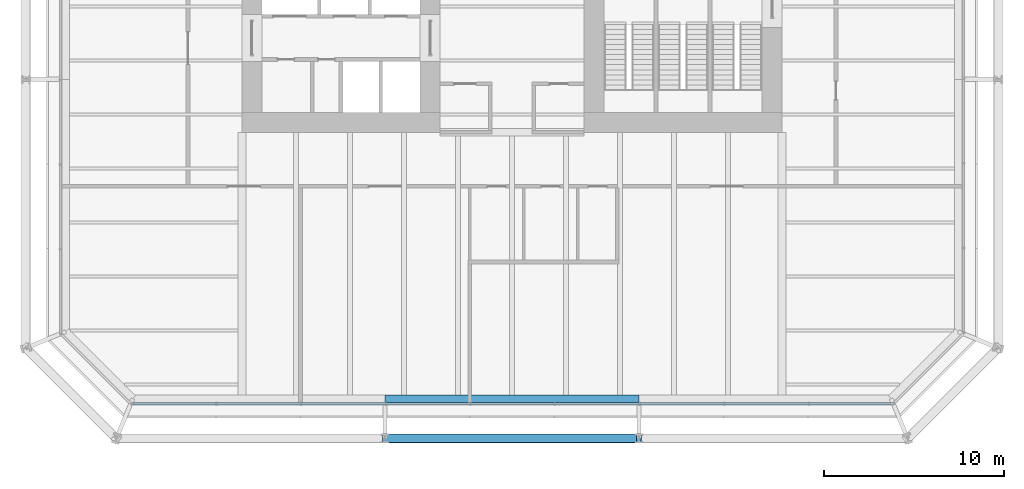
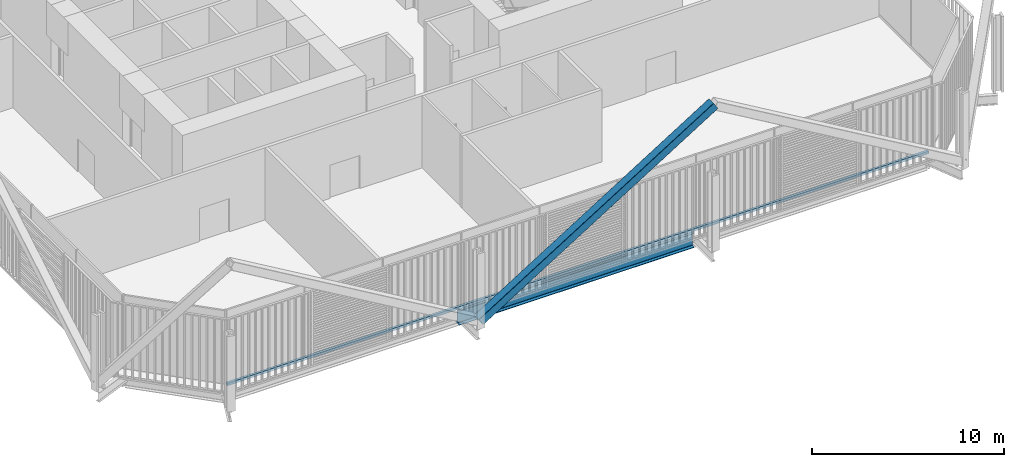
# One storey, part 3 of 22: 2 members, 1 beam, 1 element without a shape of its own.
"""IFC4 building model written with IfcOpenShell, lengths in metres."""

from ifc_helpers import new_model, si_unit, direction, frame, origin, origin_2d, place, context, subcontext, project, spatial, rectangle, hollow_rectangle, i_section, extrude, material, layer, layer_set, material_profile, profile_set, type_object, element, aggregate, save


model = new_model("IFC4")

# Units and contexts
model_context = context("Model", 3, precision=1e-05, world=origin(), true_north=direction((0.0, 1.0)))
body_context = subcontext(model_context, "Body", "Model", "MODEL_VIEW")
ifc_project = project(units=[si_unit("LENGTHUNIT", "METRE"), si_unit("AREAUNIT", "SQUARE_METRE"), si_unit("VOLUMEUNIT", "CUBIC_METRE"), si_unit("PLANEANGLEUNIT", "RADIAN"), si_unit("MASSUNIT", "GRAM", prefix="KILO")], contexts=[model_context])

# Site, building, storey
site_placement = place(None, origin())
site = spatial("IfcSite", under=ifc_project, at=site_placement, CompositionType="ELEMENT")
building_placement = place(site_placement, origin())
building = spatial("IfcBuilding", under=site, at=building_placement, Name="Millrace Tower", CompositionType="ELEMENT")
storey_placement = place(building_placement, frame((0.0, 0.0, 20.89990234375)))
storey = spatial("IfcBuildingStorey", under=building, at=storey_placement, Name="L05", CompositionType="ELEMENT", Elevation=20.89990234375)

# Curtain wall, member
ifc_material_1 = material(Name="Aluminium and glass", Category="aluminium")
ifc_layer = layer(ifc_material_1, 0.14990234375)
ifc_layer_set = layer_set([ifc_layer], Name="Aluminium and glass")
curtain_wall_type = type_object("IfcCurtainWallType", Name="CW-2 data hall insulated curtain wall", PredefinedType="NOTDEFINED", material=ifc_layer_set)
curtain_wall_placement = place(storey_placement, origin())
curtain_wall = element("IfcCurtainWall", 1, at=curtain_wall_placement, inside=storey, type_object=curtain_wall_type, Name="Curtain wall A-F02 L05", PredefinedType="NOTDEFINED")
ifc_material_2 = material(Name="Aluminium", Category="aluminium")
ifc_material_profile_1 = material_profile(ifc_material_2, rectangle(XDim=0.14990234375, YDim=0.159912109375, at=origin_2d()))
ifc_profile_set_1 = profile_set([ifc_material_profile_1], Name="Aluminium")
member_type_1 = type_object("IfcMemberType", Name="CW-2 data hall insulated curtain wall transom", PredefinedType="USERDEFINED", material=ifc_profile_set_1)
member_1_placement = place(storey_placement, frame((-21.050048828125, -25.074951171875, 0.080078125), z_axis=(1.0, 0.0, 0.0), x_axis=(0.0, 1.0, 0.0)))
member_1 = element("IfcMember", 2, at=member_1_placement, type_object=member_type_1, Name="CW2 transom A-F02.1", ObjectType="TRANSOM", PredefinedType="USERDEFINED", context=body_context, shape_type="SweptSolid", body=[
    extrude(rectangle(XDim=0.14990234375, YDim=0.159912109375, at=origin_2d()), origin(), (0.0, 0.0, 1.0), 42.10009765625),
])
aggregate(curtain_wall, [member_1])

# Member
ifc_material_3 = material(Name="Steel ASTM A500 Grade C", Category="steel")
ifc_material_profile_2 = material_profile(ifc_material_3, hollow_rectangle(XDim=0.508056640625, YDim=0.508056640625, WallThickness=0.022216796875, InnerFilletRadius=0.01123046875, OuterFilletRadius=0.033447265625, at=origin_2d()))
ifc_profile_set_2 = profile_set([ifc_material_profile_2], Name="Steel ASTM A500 Grade C")
member_type_2 = type_object("IfcMemberType", Name="Exoskeleton brace HSS20x20x7/8", PredefinedType="BRACE", material=ifc_profile_set_2)
member_2_placement = place(storey_placement, frame((-7.050048828125, -27.0, 0.400146484375), z_axis=(0.848336468551, 0.0, 0.529457492276), x_axis=(0.0, 1.0, 0.0)))
element("IfcMember", 3, at=member_2_placement, inside=storey, type_object=member_type_2, Name="BRC-A-L05-03", PredefinedType="BRACE", context=body_context, shape_type="SweptSolid", body=[
    extrude(hollow_rectangle(XDim=0.508056640625, YDim=0.508056640625, WallThickness=0.022216796875, InnerFilletRadius=0.01123046875, OuterFilletRadius=0.033447265625, at=origin_2d()), origin(), (0.0, 0.0, 1.0), 16.620849609375),
])

# Beam
ifc_material_4 = material(Name="Steel ASTM A992 Grade 50", Category="steel")
ifc_material_profile_3 = material_profile(ifc_material_4, i_section(OverallWidth=0.421630859375, OverallDepth=0.937255859375, WebThickness=0.021240234375, FlangeThickness=0.03662109375, FilletRadius=0.024169921875, at=origin_2d()))
ifc_profile_set_3 = profile_set([ifc_material_profile_3], Name="Steel ASTM A992 Grade 50")
beam_type = type_object("IfcBeamType", Name="Ring beam medium span W36x262", PredefinedType="SPANDREL", material=ifc_profile_set_3)
beam_placement = place(storey_placement, frame((7.050048828125, -24.7890625, -0.693603515625), z_axis=(-1.0, 0.0, 0.0), x_axis=(0.0, -1.0, 0.0)))
element("IfcBeam", 4, at=beam_placement, inside=storey, type_object=beam_type, Name="RNG-A-L05-S1-14", PredefinedType="SPANDREL", context=body_context, shape_type="SweptSolid", body=[
    extrude(i_section(OverallWidth=0.421630859375, OverallDepth=0.937255859375, WebThickness=0.021240234375, FlangeThickness=0.03662109375, FilletRadius=0.024169921875, at=origin_2d()), origin(), (0.0, 0.0, 1.0), 14.10009765625),
])

save(model, "model.ifc")
